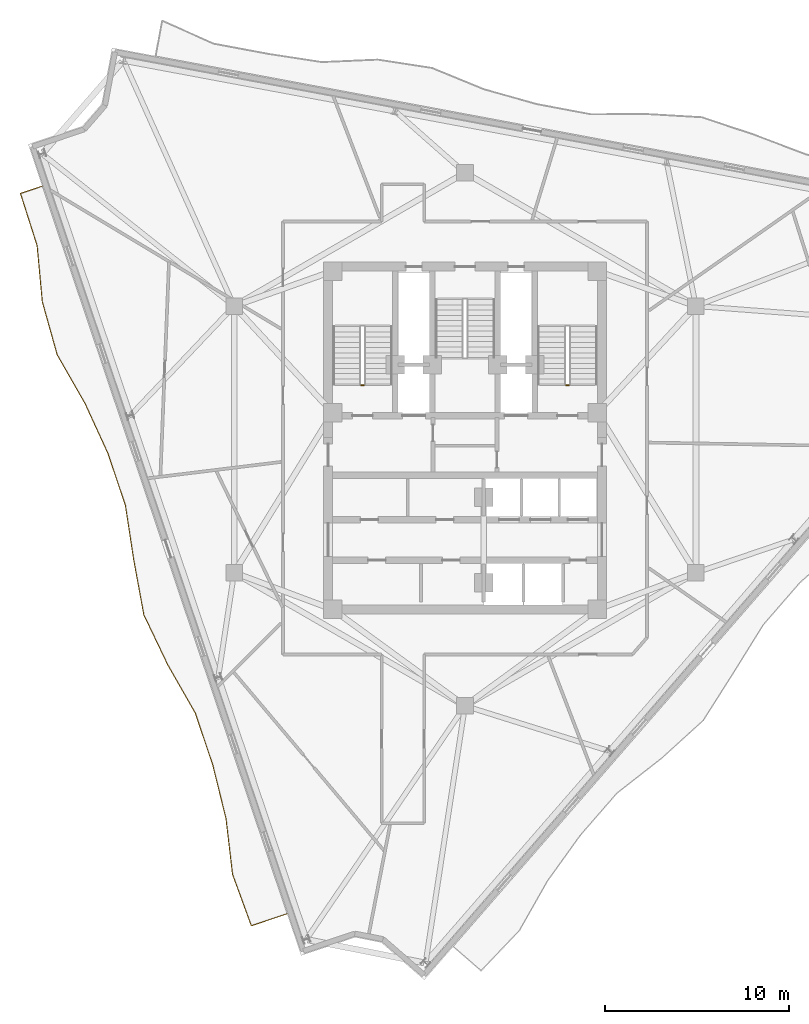
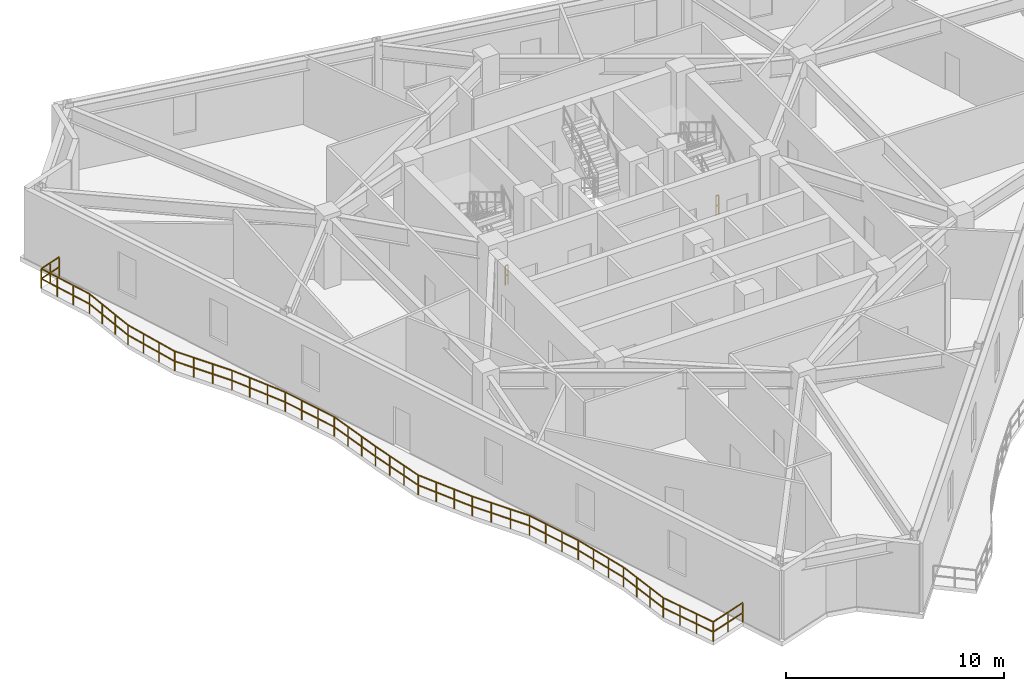
# One storey, part 8 of 10: 3 railings.
"""IFC4 building model written with IfcOpenShell, lengths in metres."""

from ifc_helpers import new_model, si_unit, direction, frame, origin, origin_2d, place, context, subcontext, project, spatial, rectangle, extrude, material, type_object, element, save


model = new_model("IFC4")

# Units and contexts
model_context = context("Model", 3, precision=1e-05, world=origin(), true_north=direction((0.0, 1.0)))
body_context = subcontext(model_context, "Body", "Model", "MODEL_VIEW")
ifc_project = project(units=[si_unit("LENGTHUNIT", "METRE"), si_unit("AREAUNIT", "SQUARE_METRE"), si_unit("VOLUMEUNIT", "CUBIC_METRE"), si_unit("PLANEANGLEUNIT", "RADIAN"), si_unit("MASSUNIT", "GRAM", prefix="KILO")], contexts=[model_context])

# Site, building, storey
site_placement = place(None, origin())
site = spatial("IfcSite", under=ifc_project, at=site_placement, CompositionType="ELEMENT")
building_placement = place(site_placement, origin())
building = spatial("IfcBuilding", under=site, at=building_placement, Name="Apsidion Concourse Tower", CompositionType="ELEMENT")
storey_placement = place(building_placement, frame((0.0, 0.0, 265.5)))
storey = spatial("IfcBuildingStorey", under=building, at=storey_placement, Name="L62", CompositionType="ELEMENT", Elevation=265.5)

# Railings
ifc_material = material(Name="Brushed stainless steel 316", Category="steel")
railing_type_1 = type_object("IfcRailingType", Name="RL-BAL-1120", PredefinedType="BALUSTRADE", material=ifc_material)
railing_placement = place(storey_placement, frame((-9.681396484375, -25.806884765625, 0.0)))
element("IfcRailing", 1, at=railing_placement, inside=storey, type_object=railing_type_1, Name="L62 Face 1 Rippling Balcony Balustrade", PredefinedType="BALUSTRADE", context=body_context, shape_type="SweptSolid", body=[
    extrude(rectangle(XDim=0.048095703125, YDim=0.048095703125, at=origin_2d()), frame((0.0, 0.0, 1.09619140625), z_axis=(-0.947798496187, -0.318869896079, 0.0), x_axis=(0.318869896079, -0.947798496187, 0.0)), (0.0, 0.0, 1.0), 2.05029296875),
    extrude(rectangle(XDim=0.048095703125, YDim=0.048095703125, at=origin_2d()), frame((0.0, 0.0, 0.5361328125), z_axis=(-0.947798496187, -0.318869896079, 0.0), x_axis=(0.318869896079, -0.947798496187, 0.0)), (0.0, 0.0, 1.0), 2.05029296875),
    extrude(rectangle(XDim=0.048095703125, YDim=0.048095703125, at=origin_2d()), frame((-1.943359375, -0.65380859375, 1.09619140625), z_axis=(-0.343049979702, 0.939317151673, 0.0), x_axis=(-0.939317151673, -0.343049979702, 0.0)), (0.0, 0.0, 1.0), 2.984130859375),
    extrude(rectangle(XDim=0.048095703125, YDim=0.048095703125, at=origin_2d()), frame((-1.943359375, -0.65380859375, 0.5361328125), z_axis=(-0.343049979702, 0.939317151673, 0.0), x_axis=(-0.939317151673, -0.343049979702, 0.0)), (0.0, 0.0, 1.0), 2.984130859375),
    extrude(rectangle(XDim=0.048095703125, YDim=0.048095703125, at=origin_2d()), frame((-2.967041015625, 2.149169921875, 1.09619140625), z_axis=(-0.116599631027, 0.993179000002, 0.0), x_axis=(-0.993179000002, -0.116599631027, 0.0)), (0.0, 0.0, 1.0), 3.048583984375),
    extrude(rectangle(XDim=0.048095703125, YDim=0.048095703125, at=origin_2d()), frame((-2.967041015625, 2.149169921875, 0.5361328125), z_axis=(-0.116599631027, 0.993179000002, 0.0), x_axis=(-0.993179000002, -0.116599631027, 0.0)), (0.0, 0.0, 1.0), 3.048583984375),
    extrude(rectangle(XDim=0.048095703125, YDim=0.048095703125, at=origin_2d()), frame((-3.322509765625, 5.177001953125, 1.09619140625), z_axis=(-0.239214250171, 0.970966808143, 0.0), x_axis=(-0.970966808143, -0.239214250171, 0.0)), (0.0, 0.0, 1.0), 2.993408203125),
    extrude(rectangle(XDim=0.048095703125, YDim=0.048095703125, at=origin_2d()), frame((-3.322509765625, 5.177001953125, 0.5361328125), z_axis=(-0.239214250171, 0.970966808143, 0.0), x_axis=(-0.970966808143, -0.239214250171, 0.0)), (0.0, 0.0, 1.0), 2.993408203125),
    extrude(rectangle(XDim=0.048095703125, YDim=0.048095703125, at=origin_2d()), frame((-4.03857421875, 8.08349609375, 1.09619140625), z_axis=(-0.318951916202, 0.947770898029, 0.0), x_axis=(-0.947770898029, -0.318951916202, 0.0)), (0.0, 0.0, 1.0), 2.98291015625),
    extrude(rectangle(XDim=0.048095703125, YDim=0.048095703125, at=origin_2d()), frame((-4.03857421875, 8.08349609375, 0.5361328125), z_axis=(-0.318951916202, 0.947770898029, 0.0), x_axis=(-0.947770898029, -0.318951916202, 0.0)), (0.0, 0.0, 1.0), 2.98291015625),
    extrude(rectangle(XDim=0.048095703125, YDim=0.048095703125, at=origin_2d()), frame((-4.989990234375, 10.91064453125, 1.09619140625), z_axis=(-0.495161214239, 0.868801111828, 0.0), x_axis=(-0.868801111828, -0.495161214239, 0.0)), (0.0, 0.0, 1.0), 3.03955078125),
    extrude(rectangle(XDim=0.048095703125, YDim=0.048095703125, at=origin_2d()), frame((-4.989990234375, 10.91064453125, 0.5361328125), z_axis=(-0.495161214239, 0.868801111828, 0.0), x_axis=(-0.868801111828, -0.495161214239, 0.0)), (0.0, 0.0, 1.0), 3.03955078125),
    extrude(rectangle(XDim=0.048095703125, YDim=0.048095703125, at=origin_2d()), frame((-6.4951171875, 13.551513671875, 1.09619140625), z_axis=(-0.431515859568, 0.902105350245, 0.0), x_axis=(-0.902105350245, -0.431515859568, 0.0)), (0.0, 0.0, 1.0), 3.00537109375),
    extrude(rectangle(XDim=0.048095703125, YDim=0.048095703125, at=origin_2d()), frame((-6.4951171875, 13.551513671875, 0.5361328125), z_axis=(-0.431515859568, 0.902105350245, 0.0), x_axis=(-0.902105350245, -0.431515859568, 0.0)), (0.0, 0.0, 1.0), 3.00537109375),
    extrude(rectangle(XDim=0.048095703125, YDim=0.048095703125, at=origin_2d()), frame((-7.7919921875, 16.2626953125, 1.09619140625), z_axis=(-0.180902616388, 0.983501013413, 0.0), x_axis=(-0.983501013413, -0.180902616388, 0.0)), (0.0, 0.0, 1.0), 3.013671875),
    extrude(rectangle(XDim=0.048095703125, YDim=0.048095703125, at=origin_2d()), frame((-7.7919921875, 16.2626953125, 0.5361328125), z_axis=(-0.180902616388, 0.983501013413, 0.0), x_axis=(-0.983501013413, -0.180902616388, 0.0)), (0.0, 0.0, 1.0), 3.013671875),
    extrude(rectangle(XDim=0.048095703125, YDim=0.048095703125, at=origin_2d()), frame((-8.337158203125, 19.2265625, 1.09619140625), z_axis=(-0.151257383222, 0.988494412741, 0.0), x_axis=(-0.988494412741, -0.151257383222, 0.0)), (0.0, 0.0, 1.0), 3.028076171875),
    extrude(rectangle(XDim=0.048095703125, YDim=0.048095703125, at=origin_2d()), frame((-8.337158203125, 19.2265625, 0.5361328125), z_axis=(-0.151257383222, 0.988494412741, 0.0), x_axis=(-0.988494412741, -0.151257383222, 0.0)), (0.0, 0.0, 1.0), 3.028076171875),
    extrude(rectangle(XDim=0.048095703125, YDim=0.048095703125, at=origin_2d()), frame((-8.795166015625, 22.2197265625, 1.09619140625), z_axis=(-0.318853658864, 0.947803958754, 0.0), x_axis=(-0.947803958754, -0.318853658864, 0.0)), (0.0, 0.0, 1.0), 2.983154296875),
    extrude(rectangle(XDim=0.048095703125, YDim=0.048095703125, at=origin_2d()), frame((-8.795166015625, 22.2197265625, 0.5361328125), z_axis=(-0.318853658864, 0.947803958754, 0.0), x_axis=(-0.947803958754, -0.318853658864, 0.0)), (0.0, 0.0, 1.0), 2.983154296875),
    extrude(rectangle(XDim=0.048095703125, YDim=0.048095703125, at=origin_2d()), frame((-9.746337890625, 25.047119140625, 1.09619140625), z_axis=(-0.417343972307, 0.908748594926, 0.0), x_axis=(-0.908748594926, -0.417343972307, 0.0)), (0.0, 0.0, 1.0), 2.999755859375),
    extrude(rectangle(XDim=0.048095703125, YDim=0.048095703125, at=origin_2d()), frame((-9.746337890625, 25.047119140625, 0.5361328125), z_axis=(-0.417343972307, 0.908748594926, 0.0), x_axis=(-0.908748594926, -0.417343972307, 0.0)), (0.0, 0.0, 1.0), 2.999755859375),
    extrude(rectangle(XDim=0.048095703125, YDim=0.048095703125, at=origin_2d()), frame((-10.998291015625, 27.773193359375, 1.09619140625), z_axis=(-0.496208111923, 0.868203610717, 0.0), x_axis=(-0.868203610717, -0.496208111923, 0.0)), (0.0, 0.0, 1.0), 3.04052734375),
    extrude(rectangle(XDim=0.048095703125, YDim=0.048095703125, at=origin_2d()), frame((-10.998291015625, 27.773193359375, 0.5361328125), z_axis=(-0.496208111923, 0.868203610717, 0.0), x_axis=(-0.868203610717, -0.496208111923, 0.0)), (0.0, 0.0, 1.0), 3.04052734375),
    extrude(rectangle(XDim=0.048095703125, YDim=0.048095703125, at=origin_2d()), frame((-12.507080078125, 30.4130859375, 1.09619140625), z_axis=(-0.270248413876, 0.962790628744, 0.0), x_axis=(-0.962790628744, -0.270248413876, 0.0)), (0.0, 0.0, 1.0), 2.986572265625),
    extrude(rectangle(XDim=0.048095703125, YDim=0.048095703125, at=origin_2d()), frame((-12.507080078125, 30.4130859375, 0.5361328125), z_axis=(-0.270248413876, 0.962790628744, 0.0), x_axis=(-0.962790628744, -0.270248413876, 0.0)), (0.0, 0.0, 1.0), 2.986572265625),
    extrude(rectangle(XDim=0.048095703125, YDim=0.048095703125, at=origin_2d()), frame((-13.314208984375, 33.28857421875, 1.09619140625), z_axis=(-0.091986173591, 0.99576028434, 0.0), x_axis=(-0.99576028434, -0.091986173591, 0.0)), (0.0, 0.0, 1.0), 3.0654296875),
    extrude(rectangle(XDim=0.048095703125, YDim=0.048095703125, at=origin_2d()), frame((-13.314208984375, 33.28857421875, 0.5361328125), z_axis=(-0.091986173591, 0.99576028434, 0.0), x_axis=(-0.99576028434, -0.091986173591, 0.0)), (0.0, 0.0, 1.0), 3.0654296875),
    extrude(rectangle(XDim=0.048095703125, YDim=0.048095703125, at=origin_2d()), frame((-13.59619140625, 36.341064453125, 1.09619140625), z_axis=(-0.303828434747, 0.952726761584, 0.0), x_axis=(-0.952726761584, -0.303828434747, 0.0)), (0.0, 0.0, 1.0), 2.983642578125),
    extrude(rectangle(XDim=0.048095703125, YDim=0.048095703125, at=origin_2d()), frame((-13.59619140625, 36.341064453125, 0.5361328125), z_axis=(-0.303828434747, 0.952726761584, 0.0), x_axis=(-0.952726761584, -0.303828434747, 0.0)), (0.0, 0.0, 1.0), 2.983642578125),
    extrude(rectangle(XDim=0.048095703125, YDim=0.048095703125, at=origin_2d()), frame((-14.502685546875, 39.18359375, 1.09619140625), z_axis=(0.947761229597, 0.318980644669, 0.0), x_axis=(-0.318980644669, 0.947761229597, 0.0)), (0.0, 0.0, 1.0), 1.249755859375),
    extrude(rectangle(XDim=0.048095703125, YDim=0.048095703125, at=origin_2d()), frame((-14.502685546875, 39.18359375, 0.5361328125), z_axis=(0.947761229597, 0.318980644669, 0.0), x_axis=(-0.318980644669, 0.947761229597, 0.0)), (0.0, 0.0, 1.0), 1.249755859375),
    extrude(rectangle(XDim=0.0419921875, YDim=0.0419921875, at=origin_2d()), origin(), (0.0, 0.0, 1.0), 1.072021484375),
    extrude(rectangle(XDim=0.0419921875, YDim=0.0419921875, at=origin_2d()), frame((-0.9716796875, -0.326904296875, 0.0)), (0.0, 0.0, 1.0), 1.072021484375),
    extrude(rectangle(XDim=0.0419921875, YDim=0.0419921875, at=origin_2d()), frame((-1.943359375, -0.65380859375, 0.0)), (0.0, 0.0, 1.0), 1.072021484375),
    extrude(rectangle(XDim=0.0419921875, YDim=0.0419921875, at=origin_2d()), frame((-2.28466796875, 0.280517578125, 0.0)), (0.0, 0.0, 1.0), 1.072021484375),
    extrude(rectangle(XDim=0.0419921875, YDim=0.0419921875, at=origin_2d()), frame((-2.625732421875, 1.21484375, 0.0)), (0.0, 0.0, 1.0), 1.072021484375),
    extrude(rectangle(XDim=0.0419921875, YDim=0.0419921875, at=origin_2d()), frame((-2.967041015625, 2.149169921875, 0.0)), (0.0, 0.0, 1.0), 1.072021484375),
    extrude(rectangle(XDim=0.0419921875, YDim=0.0419921875, at=origin_2d()), frame((-3.08544921875, 3.158447265625, 0.0)), (0.0, 0.0, 1.0), 1.072021484375),
    extrude(rectangle(XDim=0.0419921875, YDim=0.0419921875, at=origin_2d()), frame((-3.2041015625, 4.167724609375, 0.0)), (0.0, 0.0, 1.0), 1.072021484375),
    extrude(rectangle(XDim=0.0419921875, YDim=0.0419921875, at=origin_2d()), frame((-3.322509765625, 5.177001953125, 0.0)), (0.0, 0.0, 1.0), 1.072021484375),
    extrude(rectangle(XDim=0.0419921875, YDim=0.0419921875, at=origin_2d()), frame((-3.561279296875, 6.145751953125, 0.0)), (0.0, 0.0, 1.0), 1.072021484375),
    extrude(rectangle(XDim=0.0419921875, YDim=0.0419921875, at=origin_2d()), frame((-3.7998046875, 7.11474609375, 0.0)), (0.0, 0.0, 1.0), 1.072021484375),
    extrude(rectangle(XDim=0.0419921875, YDim=0.0419921875, at=origin_2d()), frame((-4.03857421875, 8.08349609375, 0.0)), (0.0, 0.0, 1.0), 1.072021484375),
    extrude(rectangle(XDim=0.0419921875, YDim=0.0419921875, at=origin_2d()), frame((-4.355712890625, 9.02587890625, 0.0)), (0.0, 0.0, 1.0), 1.072021484375),
    extrude(rectangle(XDim=0.0419921875, YDim=0.0419921875, at=origin_2d()), frame((-4.6728515625, 9.96826171875, 0.0)), (0.0, 0.0, 1.0), 1.072021484375),
    extrude(rectangle(XDim=0.0419921875, YDim=0.0419921875, at=origin_2d()), frame((-4.989990234375, 10.91064453125, 0.0)), (0.0, 0.0, 1.0), 1.072021484375),
    extrude(rectangle(XDim=0.0419921875, YDim=0.0419921875, at=origin_2d()), frame((-5.49169921875, 11.791015625, 0.0)), (0.0, 0.0, 1.0), 1.072021484375),
    extrude(rectangle(XDim=0.0419921875, YDim=0.0419921875, at=origin_2d()), frame((-5.993408203125, 12.671142578125, 0.0)), (0.0, 0.0, 1.0), 1.072021484375),
    extrude(rectangle(XDim=0.0419921875, YDim=0.0419921875, at=origin_2d()), frame((-6.4951171875, 13.551513671875, 0.0)), (0.0, 0.0, 1.0), 1.072021484375),
    extrude(rectangle(XDim=0.0419921875, YDim=0.0419921875, at=origin_2d()), frame((-6.927490234375, 14.455322265625, 0.0)), (0.0, 0.0, 1.0), 1.072021484375),
    extrude(rectangle(XDim=0.0419921875, YDim=0.0419921875, at=origin_2d()), frame((-7.359619140625, 15.35888671875, 0.0)), (0.0, 0.0, 1.0), 1.072021484375),
    extrude(rectangle(XDim=0.0419921875, YDim=0.0419921875, at=origin_2d()), frame((-7.7919921875, 16.2626953125, 0.0)), (0.0, 0.0, 1.0), 1.072021484375),
    extrude(rectangle(XDim=0.0419921875, YDim=0.0419921875, at=origin_2d()), frame((-7.9736328125, 17.250732421875, 0.0)), (0.0, 0.0, 1.0), 1.072021484375),
    extrude(rectangle(XDim=0.0419921875, YDim=0.0419921875, at=origin_2d()), frame((-8.155517578125, 18.238525390625, 0.0)), (0.0, 0.0, 1.0), 1.072021484375),
    extrude(rectangle(XDim=0.0419921875, YDim=0.0419921875, at=origin_2d()), frame((-8.337158203125, 19.2265625, 0.0)), (0.0, 0.0, 1.0), 1.072021484375),
    extrude(rectangle(XDim=0.0419921875, YDim=0.0419921875, at=origin_2d()), frame((-8.48974609375, 20.224365234375, 0.0)), (0.0, 0.0, 1.0), 1.072021484375),
    extrude(rectangle(XDim=0.0419921875, YDim=0.0419921875, at=origin_2d()), frame((-8.642578125, 21.221923828125, 0.0)), (0.0, 0.0, 1.0), 1.072021484375),
    extrude(rectangle(XDim=0.0419921875, YDim=0.0419921875, at=origin_2d()), frame((-8.795166015625, 22.2197265625, 0.0)), (0.0, 0.0, 1.0), 1.072021484375),
    extrude(rectangle(XDim=0.0419921875, YDim=0.0419921875, at=origin_2d()), frame((-9.1123046875, 23.162109375, 0.0)), (0.0, 0.0, 1.0), 1.072021484375),
    extrude(rectangle(XDim=0.0419921875, YDim=0.0419921875, at=origin_2d()), frame((-9.42919921875, 24.104736328125, 0.0)), (0.0, 0.0, 1.0), 1.072021484375),
    extrude(rectangle(XDim=0.0419921875, YDim=0.0419921875, at=origin_2d()), frame((-9.746337890625, 25.047119140625, 0.0)), (0.0, 0.0, 1.0), 1.072021484375),
    extrude(rectangle(XDim=0.0419921875, YDim=0.0419921875, at=origin_2d()), frame((-10.16357421875, 25.955810546875, 0.0)), (0.0, 0.0, 1.0), 1.072021484375),
    extrude(rectangle(XDim=0.0419921875, YDim=0.0419921875, at=origin_2d()), frame((-10.5810546875, 26.864501953125, 0.0)), (0.0, 0.0, 1.0), 1.072021484375),
    extrude(rectangle(XDim=0.0419921875, YDim=0.0419921875, at=origin_2d()), frame((-10.998291015625, 27.773193359375, 0.0)), (0.0, 0.0, 1.0), 1.072021484375),
    extrude(rectangle(XDim=0.0419921875, YDim=0.0419921875, at=origin_2d()), frame((-11.501220703125, 28.653076171875, 0.0)), (0.0, 0.0, 1.0), 1.072021484375),
    extrude(rectangle(XDim=0.0419921875, YDim=0.0419921875, at=origin_2d()), frame((-12.004150390625, 29.533203125, 0.0)), (0.0, 0.0, 1.0), 1.072021484375),
    extrude(rectangle(XDim=0.0419921875, YDim=0.0419921875, at=origin_2d()), frame((-12.507080078125, 30.4130859375, 0.0)), (0.0, 0.0, 1.0), 1.072021484375),
    extrude(rectangle(XDim=0.0419921875, YDim=0.0419921875, at=origin_2d()), frame((-12.776123046875, 31.37158203125, 0.0)), (0.0, 0.0, 1.0), 1.072021484375),
    extrude(rectangle(XDim=0.0419921875, YDim=0.0419921875, at=origin_2d()), frame((-13.045166015625, 32.330078125, 0.0)), (0.0, 0.0, 1.0), 1.072021484375),
    extrude(rectangle(XDim=0.0419921875, YDim=0.0419921875, at=origin_2d()), frame((-13.314208984375, 33.28857421875, 0.0)), (0.0, 0.0, 1.0), 1.072021484375),
    extrude(rectangle(XDim=0.0419921875, YDim=0.0419921875, at=origin_2d()), frame((-13.408203125, 34.30615234375, 0.0)), (0.0, 0.0, 1.0), 1.072021484375),
    extrude(rectangle(XDim=0.0419921875, YDim=0.0419921875, at=origin_2d()), frame((-13.502197265625, 35.323486328125, 0.0)), (0.0, 0.0, 1.0), 1.072021484375),
    extrude(rectangle(XDim=0.0419921875, YDim=0.0419921875, at=origin_2d()), frame((-13.59619140625, 36.341064453125, 0.0)), (0.0, 0.0, 1.0), 1.072021484375),
    extrude(rectangle(XDim=0.0419921875, YDim=0.0419921875, at=origin_2d()), frame((-13.8984375, 37.28857421875, 0.0)), (0.0, 0.0, 1.0), 1.072021484375),
    extrude(rectangle(XDim=0.0419921875, YDim=0.0419921875, at=origin_2d()), frame((-14.200439453125, 38.236083984375, 0.0)), (0.0, 0.0, 1.0), 1.072021484375),
    extrude(rectangle(XDim=0.0419921875, YDim=0.0419921875, at=origin_2d()), frame((-14.502685546875, 39.18359375, 0.0)), (0.0, 0.0, 1.0), 1.072021484375),
    extrude(rectangle(XDim=0.0419921875, YDim=0.0419921875, at=origin_2d()), frame((-13.910400390625, 39.3828125, 0.0)), (0.0, 0.0, 1.0), 1.072021484375),
    extrude(rectangle(XDim=0.0419921875, YDim=0.0419921875, at=origin_2d()), frame((-13.318115234375, 39.582275390625, 0.0)), (0.0, 0.0, 1.0), 1.072021484375),
])
railing_type_2 = type_object("IfcRailingType", Name="RL-GUARD-1100", PredefinedType="GUARDRAIL", material=ifc_material)
for number, where, name in (
    (2, (-5.5, 2.949951171875, 0.0), "L62 ST1 stair guard 4"),
    (3, (5.64990234375, 2.949951171875, 0.0), "L62 ST2 stair guard 4"),
):
    element("IfcRailing", number, at=place(storey_placement, frame(where)), inside=storey, type_object=railing_type_2, Name=name, PredefinedType="GUARDRAIL", context=body_context, shape_type="SweptSolid", body=[
        extrude(rectangle(XDim=0.048095703125, YDim=0.048095703125, at=origin_2d()), frame((0.0, 0.0, 1.09619140625), z_axis=(-1.0, 0.0, 0.0), x_axis=(0.0, -1.0, 0.0)), (0.0, 0.0, 1.0), 0.14990234375),
        extrude(rectangle(XDim=0.048095703125, YDim=0.048095703125, at=origin_2d()), frame((0.0, 0.0, 0.5361328125), z_axis=(-1.0, 0.0, 0.0), x_axis=(0.0, -1.0, 0.0)), (0.0, 0.0, 1.0), 0.14990234375),
        extrude(rectangle(XDim=0.0419921875, YDim=0.0419921875, at=origin_2d()), origin(), (0.0, 0.0, 1.0), 1.072021484375),
        extrude(rectangle(XDim=0.0419921875, YDim=0.0419921875, at=origin_2d()), frame((-0.14990234375, 0.0, 0.0)), (0.0, 0.0, 1.0), 1.072021484375),
    ])

save(model, "model.ifc")
